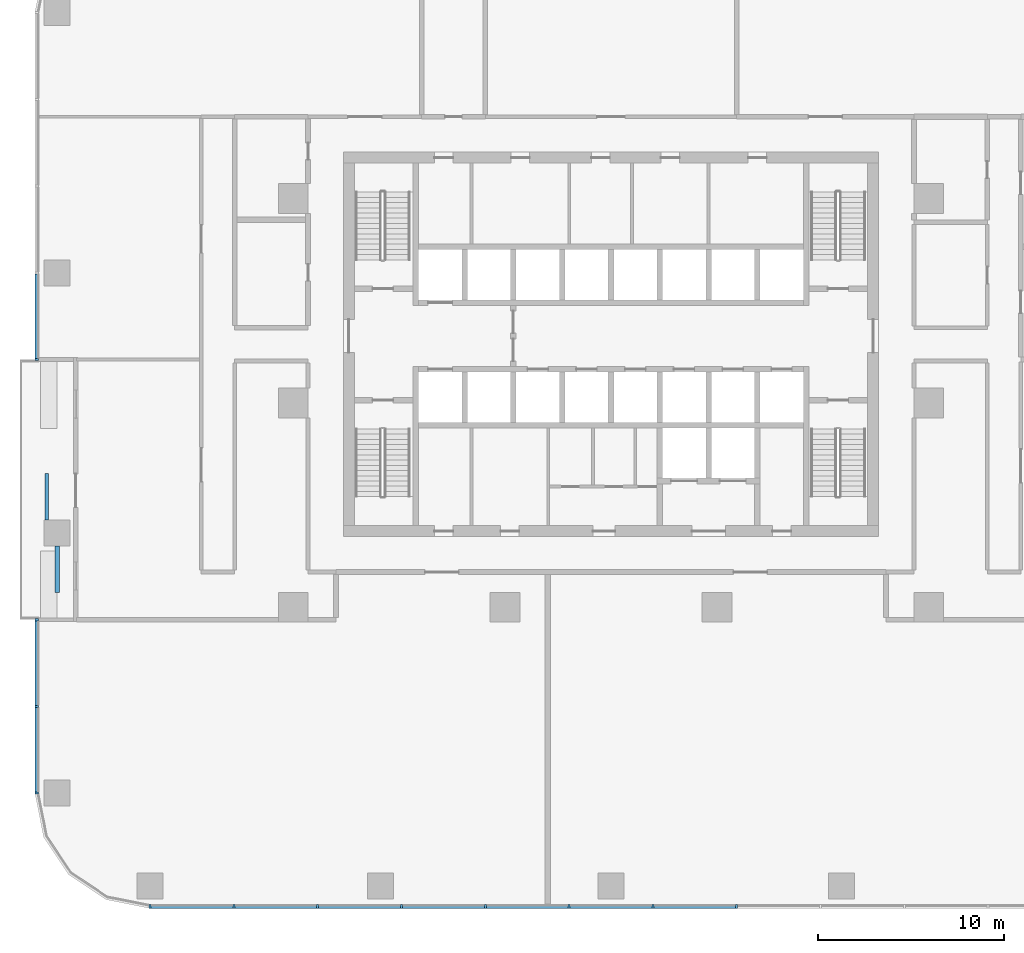
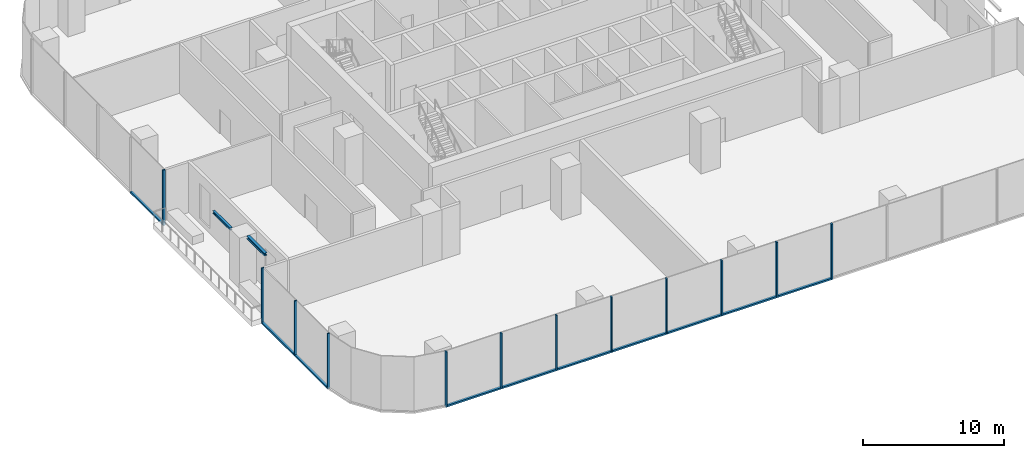
# One storey, part 2 of 14: 22 members, 2 beams, 3 elements without a shape of their own.
"""IFC4 building model written with IfcOpenShell, lengths in metres."""

from ifc_helpers import new_model, si_unit, direction, frame, origin, origin_2d, place, context, subcontext, project, spatial, rectangle, i_section, extrude, material, material_profile, profile_set, type_object, element, aggregate, save


model = new_model("IFC4")

# Units and contexts
model_context = context("Model", 3, precision=1e-05, world=origin(), true_north=direction((0.0, 1.0)))
body_context = subcontext(model_context, "Body", "Model", "MODEL_VIEW")
ifc_project = project(units=[si_unit("LENGTHUNIT", "METRE"), si_unit("AREAUNIT", "SQUARE_METRE"), si_unit("VOLUMEUNIT", "CUBIC_METRE"), si_unit("PLANEANGLEUNIT", "RADIAN"), si_unit("MASSUNIT", "GRAM", prefix="KILO")], contexts=[model_context])

# Site, building, storey
site_placement = place(None, origin())
site = spatial("IfcSite", under=ifc_project, at=site_placement, CompositionType="ELEMENT")
building_placement = place(site_placement, origin())
building = spatial("IfcBuilding", under=site, at=building_placement, Name="Mopane Tessera Tower", CompositionType="ELEMENT")
storey_placement = place(building_placement, frame((0.0, 0.0, 50.199951171875)))
storey = spatial("IfcBuildingStorey", under=building, at=storey_placement, Name="L09", CompositionType="ELEMENT", Elevation=50.199951171875)

# Curtain wall, members
ifc_material_1 = material(Name="Aluminium frame", Category="aluminium")
curtain_wall_type = type_object("IfcCurtainWallType", Name="Lower tower unitised wall", PredefinedType="NOTDEFINED", material=ifc_material_1)
curtain_wall_1_placement = place(storey_placement, origin())
curtain_wall_1 = element("IfcCurtainWall", 1, at=curtain_wall_1_placement, inside=storey, type_object=curtain_wall_type, Name="e:cw:L09:S:0", PredefinedType="NOTDEFINED")
ifc_material_2 = material(Name="Aluminium frame", Category="aluminium")
ifc_material_profile_1 = material_profile(ifc_material_2, rectangle(XDim=0.110107421875, YDim=0.199951171875, at=origin_2d()))
ifc_profile_set_1 = profile_set([ifc_material_profile_1], Name="Aluminium frame")
member_type_1 = type_object("IfcMemberType", Name="Aluminium mullion 110 x 200", PredefinedType="MULLION", material=ifc_profile_set_1)
member_1_placement = place(storey_placement, frame((-24.800048828125, -27.10009765625, -0.449951171875), z_axis=(0.0, 0.0, 1.0), x_axis=(1.0, 0.0, 0.0)))
member_1 = element("IfcMember", 2, at=member_1_placement, type_object=member_type_1, Name="e:cw:L09:S:0:mu0", PredefinedType="MULLION", context=body_context, shape_type="SweptSolid", body=[
    extrude(rectangle(XDim=0.110107421875, YDim=0.199951171875, at=origin_2d()), origin(), (0.0, 0.0, 1.0), 4.800048828125),
])
member_2_placement = place(storey_placement, frame((-20.291015625, -27.10009765625, -0.449951171875), z_axis=(0.0, 0.0, 1.0), x_axis=(1.0, 0.0, 0.0)))
member_2 = element("IfcMember", 3, at=member_2_placement, type_object=member_type_1, Name="e:cw:L09:S:0:mu1", PredefinedType="MULLION", context=body_context, shape_type="SweptSolid", body=[
    extrude(rectangle(XDim=0.110107421875, YDim=0.199951171875, at=origin_2d()), origin(), (0.0, 0.0, 1.0), 4.800048828125),
])
member_3_placement = place(storey_placement, frame((-15.78173828125, -27.10009765625, -0.449951171875), z_axis=(0.0, 0.0, 1.0), x_axis=(1.0, 0.0, 0.0)))
member_3 = element("IfcMember", 4, at=member_3_placement, type_object=member_type_1, Name="e:cw:L09:S:0:mu2", PredefinedType="MULLION", context=body_context, shape_type="SweptSolid", body=[
    extrude(rectangle(XDim=0.110107421875, YDim=0.199951171875, at=origin_2d()), origin(), (0.0, 0.0, 1.0), 4.800048828125),
])
member_4_placement = place(storey_placement, frame((-11.272705078125, -27.10009765625, -0.449951171875), z_axis=(0.0, 0.0, 1.0), x_axis=(1.0, 0.0, 0.0)))
member_4 = element("IfcMember", 5, at=member_4_placement, type_object=member_type_1, Name="e:cw:L09:S:0:mu3", PredefinedType="MULLION", context=body_context, shape_type="SweptSolid", body=[
    extrude(rectangle(XDim=0.110107421875, YDim=0.199951171875, at=origin_2d()), origin(), (0.0, 0.0, 1.0), 4.800048828125),
])
member_5_placement = place(storey_placement, frame((-6.763671875, -27.10009765625, -0.449951171875), z_axis=(0.0, 0.0, 1.0), x_axis=(1.0, 0.0, 0.0)))
member_5 = element("IfcMember", 6, at=member_5_placement, type_object=member_type_1, Name="e:cw:L09:S:0:mu4", PredefinedType="MULLION", context=body_context, shape_type="SweptSolid", body=[
    extrude(rectangle(XDim=0.110107421875, YDim=0.199951171875, at=origin_2d()), origin(), (0.0, 0.0, 1.0), 4.800048828125),
])
member_6_placement = place(storey_placement, frame((-2.254638671875, -27.10009765625, -0.449951171875), z_axis=(0.0, 0.0, 1.0), x_axis=(1.0, 0.0, 0.0)))
member_6 = element("IfcMember", 7, at=member_6_placement, type_object=member_type_1, Name="e:cw:L09:S:0:mu5", PredefinedType="MULLION", context=body_context, shape_type="SweptSolid", body=[
    extrude(rectangle(XDim=0.110107421875, YDim=0.199951171875, at=origin_2d()), origin(), (0.0, 0.0, 1.0), 4.800048828125),
])
member_7_placement = place(storey_placement, frame((2.254638671875, -27.10009765625, -0.449951171875), z_axis=(0.0, 0.0, 1.0), x_axis=(1.0, 0.0, 0.0)))
member_7 = element("IfcMember", 8, at=member_7_placement, type_object=member_type_1, Name="e:cw:L09:S:0:mu6", PredefinedType="MULLION", context=body_context, shape_type="SweptSolid", body=[
    extrude(rectangle(XDim=0.110107421875, YDim=0.199951171875, at=origin_2d()), origin(), (0.0, 0.0, 1.0), 4.800048828125),
])
member_8_placement = place(storey_placement, frame((6.763671875, -27.10009765625, -0.449951171875), z_axis=(0.0, 0.0, 1.0), x_axis=(1.0, 0.0, 0.0)))
member_8 = element("IfcMember", 9, at=member_8_placement, type_object=member_type_1, Name="e:cw:L09:S:0:mu7", PredefinedType="MULLION", context=body_context, shape_type="SweptSolid", body=[
    extrude(rectangle(XDim=0.110107421875, YDim=0.199951171875, at=origin_2d()), origin(), (0.0, 0.0, 1.0), 4.800048828125),
])

# Curtain wall, member
curtain_wall_2_placement = place(storey_placement, origin())
curtain_wall_2 = element("IfcCurtainWall", 10, at=curtain_wall_2_placement, inside=storey, type_object=curtain_wall_type, Name="e:cw:L09:W:0", PredefinedType="NOTDEFINED")
member_9_placement = place(storey_placement, frame((-30.89990234375, 2.333251953125, -0.449951171875), z_axis=(0.0, 0.0, 1.0), x_axis=(0.0, -1.0, 0.0)))
member_9 = element("IfcMember", 11, at=member_9_placement, type_object=member_type_1, Name="e:cw:L09:W:0:mu4", PredefinedType="MULLION", context=body_context, shape_type="SweptSolid", body=[
    extrude(rectangle(XDim=0.110107421875, YDim=0.199951171875, at=origin_2d()), origin(), (0.0, 0.0, 1.0), 4.800048828125),
])

# Curtain wall, members
curtain_wall_3_placement = place(storey_placement, origin())
curtain_wall_3 = element("IfcCurtainWall", 12, at=curtain_wall_3_placement, inside=storey, type_object=curtain_wall_type, Name="e:cw:L09:W:7", PredefinedType="NOTDEFINED")
member_10_placement = place(storey_placement, frame((-30.89990234375, -11.666748046875, -0.449951171875), z_axis=(0.0, 0.0, 1.0), x_axis=(0.0, -1.0, 0.0)))
member_10 = element("IfcMember", 13, at=member_10_placement, type_object=member_type_1, Name="e:cw:L09:W:7:mu7", PredefinedType="MULLION", context=body_context, shape_type="SweptSolid", body=[
    extrude(rectangle(XDim=0.110107421875, YDim=0.199951171875, at=origin_2d()), origin(), (0.0, 0.0, 1.0), 4.800048828125),
])
member_11_placement = place(storey_placement, frame((-30.89990234375, -16.333251953125, -0.449951171875), z_axis=(0.0, 0.0, 1.0), x_axis=(0.0, -1.0, 0.0)))
member_11 = element("IfcMember", 14, at=member_11_placement, type_object=member_type_1, Name="e:cw:L09:W:7:mu8", PredefinedType="MULLION", context=body_context, shape_type="SweptSolid", body=[
    extrude(rectangle(XDim=0.110107421875, YDim=0.199951171875, at=origin_2d()), origin(), (0.0, 0.0, 1.0), 4.800048828125),
])
member_12_placement = place(storey_placement, frame((-30.89990234375, -21.0, -0.449951171875), z_axis=(0.0, 0.0, 1.0), x_axis=(0.0, -1.0, 0.0)))
member_12 = element("IfcMember", 15, at=member_12_placement, type_object=member_type_1, Name="e:cw:L09:W:7:mu9", PredefinedType="MULLION", context=body_context, shape_type="SweptSolid", body=[
    extrude(rectangle(XDim=0.110107421875, YDim=0.199951171875, at=origin_2d()), origin(), (0.0, 0.0, 1.0), 4.800048828125),
])

# Member
ifc_material_3 = material(Name="Aluminium frame", Category="aluminium")
ifc_material_profile_2 = material_profile(ifc_material_3, rectangle(XDim=0.199951171875, YDim=0.139892578125, at=origin_2d()))
ifc_profile_set_2 = profile_set([ifc_material_profile_2], Name="Aluminium frame")
member_type_2 = type_object("IfcMemberType", Name="Aluminium transom 200 x 140", PredefinedType="USERDEFINED", material=ifc_profile_set_2)
member_13_placement = place(storey_placement, frame((-24.7451171875, -27.10009765625, -0.3798828125), z_axis=(1.0, 0.0, 0.0), x_axis=(0.0, 1.0, 0.0)))
member_13 = element("IfcMember", 16, at=member_13_placement, type_object=member_type_2, Name="e:cw:L09:S:0:tr0", ObjectType="TRANSOM", PredefinedType="USERDEFINED", context=body_context, shape_type="SweptSolid", body=[
    extrude(rectangle(XDim=0.199951171875, YDim=0.139892578125, at=origin_2d()), origin(), (0.0, 0.0, 1.0), 4.399169921875),
])

member_14_placement = place(storey_placement, frame((-20.23583984375, -27.10009765625, -0.3798828125), z_axis=(1.0, 0.0, 0.0), x_axis=(0.0, 1.0, 0.0)))
member_14 = element("IfcMember", 17, at=member_14_placement, type_object=member_type_2, Name="e:cw:L09:S:0:tr1", ObjectType="TRANSOM", PredefinedType="USERDEFINED", context=body_context, shape_type="SweptSolid", body=[
    extrude(rectangle(XDim=0.199951171875, YDim=0.139892578125, at=origin_2d()), origin(), (0.0, 0.0, 1.0), 4.39892578125),
])

member_15_placement = place(storey_placement, frame((-15.726806640625, -27.10009765625, -0.3798828125), z_axis=(1.0, 0.0, 0.0), x_axis=(0.0, 1.0, 0.0)))
member_15 = element("IfcMember", 18, at=member_15_placement, type_object=member_type_2, Name="e:cw:L09:S:0:tr2", ObjectType="TRANSOM", PredefinedType="USERDEFINED", context=body_context, shape_type="SweptSolid", body=[
    extrude(rectangle(XDim=0.199951171875, YDim=0.139892578125, at=origin_2d()), origin(), (0.0, 0.0, 1.0), 4.399169921875),
])

member_16_placement = place(storey_placement, frame((-11.2177734375, -27.10009765625, -0.3798828125), z_axis=(1.0, 0.0, 0.0), x_axis=(0.0, 1.0, 0.0)))
member_16 = element("IfcMember", 19, at=member_16_placement, type_object=member_type_2, Name="e:cw:L09:S:0:tr3", ObjectType="TRANSOM", PredefinedType="USERDEFINED", context=body_context, shape_type="SweptSolid", body=[
    extrude(rectangle(XDim=0.199951171875, YDim=0.139892578125, at=origin_2d()), origin(), (0.0, 0.0, 1.0), 4.399169921875),
])

member_17_placement = place(storey_placement, frame((-6.708740234375, -27.10009765625, -0.3798828125), z_axis=(1.0, 0.0, 0.0), x_axis=(0.0, 1.0, 0.0)))
member_17 = element("IfcMember", 20, at=member_17_placement, type_object=member_type_2, Name="e:cw:L09:S:0:tr4", ObjectType="TRANSOM", PredefinedType="USERDEFINED", context=body_context, shape_type="SweptSolid", body=[
    extrude(rectangle(XDim=0.199951171875, YDim=0.139892578125, at=origin_2d()), origin(), (0.0, 0.0, 1.0), 4.399169921875),
])

member_18_placement = place(storey_placement, frame((-2.199462890625, -27.10009765625, -0.3798828125), z_axis=(1.0, 0.0, 0.0), x_axis=(0.0, 1.0, 0.0)))
member_18 = element("IfcMember", 21, at=member_18_placement, type_object=member_type_2, Name="e:cw:L09:S:0:tr5", ObjectType="TRANSOM", PredefinedType="USERDEFINED", context=body_context, shape_type="SweptSolid", body=[
    extrude(rectangle(XDim=0.199951171875, YDim=0.139892578125, at=origin_2d()), origin(), (0.0, 0.0, 1.0), 4.39892578125),
])

member_19_placement = place(storey_placement, frame((2.3095703125, -27.10009765625, -0.3798828125), z_axis=(1.0, 0.0, 0.0), x_axis=(0.0, 1.0, 0.0)))
member_19 = element("IfcMember", 22, at=member_19_placement, type_object=member_type_2, Name="e:cw:L09:S:0:tr6", ObjectType="TRANSOM", PredefinedType="USERDEFINED", context=body_context, shape_type="SweptSolid", body=[
    extrude(rectangle(XDim=0.199951171875, YDim=0.139892578125, at=origin_2d()), origin(), (0.0, 0.0, 1.0), 4.399169921875),
])

aggregate(curtain_wall_1, [member_1, member_2, member_3, member_4, member_5, member_6, member_7, member_8, member_13, member_14, member_15, member_16, member_17, member_18, member_19])

member_20_placement = place(storey_placement, frame((-30.89990234375, 6.945068359375, -0.3798828125), z_axis=(0.0, -1.0, 0.0), x_axis=(1.0, 0.0, 0.0)))
member_20 = element("IfcMember", 23, at=member_20_placement, type_object=member_type_2, Name="e:cw:L09:W:0:tr3", ObjectType="TRANSOM", PredefinedType="USERDEFINED", context=body_context, shape_type="SweptSolid", body=[
    extrude(rectangle(XDim=0.199951171875, YDim=0.139892578125, at=origin_2d()), origin(), (0.0, 0.0, 1.0), 4.556640625),
])

aggregate(curtain_wall_2, [member_9, member_20])

member_21_placement = place(storey_placement, frame((-30.89990234375, -11.7216796875, -0.3798828125), z_axis=(0.0, -1.0, 0.0), x_axis=(1.0, 0.0, 0.0)))
member_21 = element("IfcMember", 24, at=member_21_placement, type_object=member_type_2, Name="e:cw:L09:W:7:tr7", ObjectType="TRANSOM", PredefinedType="USERDEFINED", context=body_context, shape_type="SweptSolid", body=[
    extrude(rectangle(XDim=0.199951171875, YDim=0.139892578125, at=origin_2d()), origin(), (0.0, 0.0, 1.0), 4.556640625),
])

member_22_placement = place(storey_placement, frame((-30.89990234375, -16.388427734375, -0.3798828125), z_axis=(0.0, -1.0, 0.0), x_axis=(1.0, 0.0, 0.0)))
member_22 = element("IfcMember", 25, at=member_22_placement, type_object=member_type_2, Name="e:cw:L09:W:7:tr8", ObjectType="TRANSOM", PredefinedType="USERDEFINED", context=body_context, shape_type="SweptSolid", body=[
    extrude(rectangle(XDim=0.199951171875, YDim=0.139892578125, at=origin_2d()), origin(), (0.0, 0.0, 1.0), 4.556640625),
])

aggregate(curtain_wall_3, [member_10, member_11, member_12, member_21, member_22])

# Beams
ifc_material_4 = material(Name="Structural steel S460", Category="steel")
ifc_material_profile_3 = material_profile(ifc_material_4, i_section(OverallWidth=0.239990234375, OverallDepth=0.239990234375, WebThickness=0.010009765625, FlangeThickness=0.01708984375, FilletRadius=0.02099609375, at=origin_2d()))
ifc_profile_set_3 = profile_set([ifc_material_profile_3], Name="Structural steel S460")
beam_type_1 = type_object("IfcBeamType", Name="Terrace spandrel beam HE 240 B", PredefinedType="SPANDREL", material=ifc_profile_set_3)
beam_1_placement = place(storey_placement, frame((-29.800048828125, -7.702880859375, 4.22998046875), z_axis=(0.0, -1.0, 0.0), x_axis=(1.0, 0.0, 0.0)))
element("IfcBeam", 26, at=beam_1_placement, inside=storey, type_object=beam_type_1, Name="Terrace spandrel beam N3 L10", PredefinedType="SPANDREL", context=body_context, shape_type="SweptSolid", body=[
    extrude(i_section(OverallWidth=0.239990234375, OverallDepth=0.239990234375, WebThickness=0.010009765625, FlangeThickness=0.01708984375, FilletRadius=0.02099609375, at=origin_2d()), origin(), (0.0, 0.0, 1.0), 2.5),
])
ifc_material_5 = material(Name="Structural steel S460", Category="steel")
ifc_material_profile_4 = material_profile(ifc_material_5, i_section(OverallWidth=0.199951171875, OverallDepth=0.199951171875, WebThickness=0.009033203125, FlangeThickness=0.014892578125, FilletRadius=0.01806640625, at=origin_2d()))
ifc_profile_set_4 = profile_set([ifc_material_profile_4], Name="Structural steel S460")
beam_type_2 = type_object("IfcBeamType", Name="Terrace trimmer beam HE 200 B", PredefinedType="BEAM", material=ifc_profile_set_4)
beam_2_placement = place(storey_placement, frame((-30.360107421875, -6.297119140625, 4.25), z_axis=(0.0, 1.0, 0.0), x_axis=(-1.0, 0.0, 0.0)))
element("IfcBeam", 27, at=beam_2_placement, inside=storey, type_object=beam_type_2, Name="Terrace trimmer beam N3 L10", PredefinedType="BEAM", context=body_context, shape_type="SweptSolid", body=[
    extrude(i_section(OverallWidth=0.199951171875, OverallDepth=0.199951171875, WebThickness=0.009033203125, FlangeThickness=0.014892578125, FilletRadius=0.01806640625, at=origin_2d()), origin(), (0.0, 0.0, 1.0), 2.5),
])

save(model, "model.ifc")
